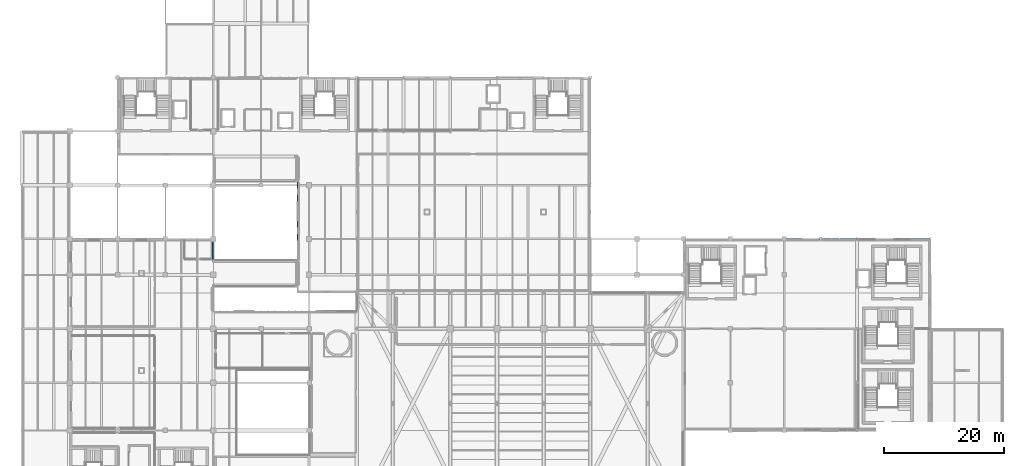
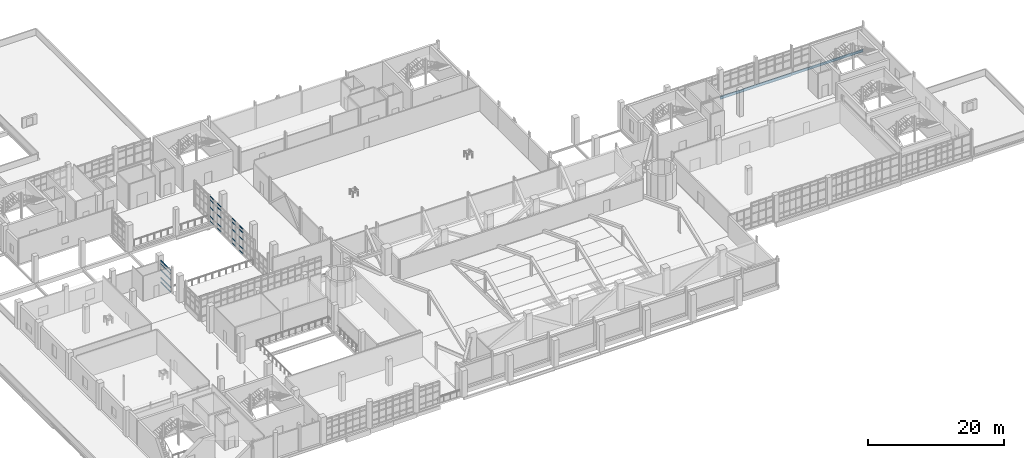
# One storey, part 80 of 127: 35 members, 2 beams, 3 elements without a shape of their own.
"""IFC4 building model written with IfcOpenShell, lengths in metres."""

from ifc_helpers import new_model, si_unit, derived_unit, direction, frame, origin, origin_2d, place, context, subcontext, project, spatial, hollow_rectangle, i_section, extrude, material, layer, layer_set, material_profile, profile_set, type_object, element, aggregate, save


model = new_model("IFC4")

# Units and contexts
model_context = context("Model", 3, precision=1e-05, world=origin(), true_north=direction((0.0, 1.0)))
body_context = subcontext(model_context, "Body", "Model", "MODEL_VIEW")
ifc_project = project(units=[si_unit("LENGTHUNIT", "METRE"), si_unit("AREAUNIT", "SQUARE_METRE"), si_unit("VOLUMEUNIT", "CUBIC_METRE"), si_unit("PLANEANGLEUNIT", "RADIAN"), si_unit("MASSUNIT", "GRAM", prefix="KILO"), derived_unit("THERMALTRANSMITTANCEUNIT", [(si_unit("POWERUNIT", "WATT"), 1), (si_unit("LENGTHUNIT", "METRE"), -2), (si_unit("THERMODYNAMICTEMPERATUREUNIT", "KELVIN"), -1)])], contexts=[model_context])

# Site, building, storey
site_placement = place(None, origin())
site = spatial("IfcSite", under=ifc_project, at=site_placement, CompositionType="ELEMENT")
building_placement = place(site_placement, origin())
building = spatial("IfcBuilding", under=site, at=building_placement, Name="Nallur Shell Playhouse", CompositionType="ELEMENT")
storey_placement = place(building_placement, frame((0.0, 0.0, 5.39990234375)))
storey = spatial("IfcBuildingStorey", under=building, at=storey_placement, Name="L02", CompositionType="ELEMENT", Elevation=5.39990234375)

# Beams
ifc_material_1 = material(Name="Steel E350", Category="steel")
ifc_material_profile_1 = material_profile(ifc_material_1, i_section(OverallWidth=0.14990234375, OverallDepth=0.449951171875, WebThickness=0.009521484375, FlangeThickness=0.017333984375, FilletRadius=0.014892578125, at=origin_2d()), Name="ISMB 450")
ifc_profile_set_1 = profile_set([ifc_material_profile_1], Name="Steel E350")
beam_type_1 = type_object("IfcBeamType", Name="BM-ST-ISMB450", PredefinedType="BEAM", material=ifc_profile_set_1)
beam_1_placement = place(storey_placement, frame((147.60009765625, 56.0, -0.5048828125), z_axis=(1.0, 0.0, 0.0), x_axis=(0.0, 1.0, 0.0)))
element("IfcBeam", 1, at=beam_1_placement, inside=storey, type_object=beam_type_1, Name="L02 girder X-G-363", PredefinedType="BEAM", context=body_context, shape_type="SweptSolid", body=[
    extrude(i_section(OverallWidth=0.14990234375, OverallDepth=0.449951171875, WebThickness=0.009521484375, FlangeThickness=0.017333984375, FilletRadius=0.014892578125, at=origin_2d()), origin(), (0.0, 0.0, 1.0), 12.199951171875),
])
ifc_material_profile_2 = material_profile(ifc_material_1, i_section(OverallWidth=0.179931640625, OverallDepth=0.5, WebThickness=0.01025390625, FlangeThickness=0.01708984375, FilletRadius=0.01708984375, at=origin_2d()), Name="ISMB 500")
ifc_profile_set_2 = profile_set([ifc_material_profile_2], Name="Steel E350")
beam_type_2 = type_object("IfcBeamType", Name="BM-ST-ISMB500", PredefinedType="BEAM", material=ifc_profile_set_2)
beam_2_placement = place(storey_placement, frame((135.39990234375, 56.0, -0.52978515625), z_axis=(1.0, 0.0, 0.0), x_axis=(0.0, 1.0, 0.0)))
element("IfcBeam", 2, at=beam_2_placement, inside=storey, type_object=beam_type_2, Name="L02 girder X-G-362", PredefinedType="BEAM", context=body_context, shape_type="SweptSolid", body=[
    extrude(i_section(OverallWidth=0.179931640625, OverallDepth=0.5, WebThickness=0.01025390625, FlangeThickness=0.01708984375, FilletRadius=0.01708984375, at=origin_2d()), origin(), (0.0, 0.0, 1.0), 12.2001953125),
])

# Curtain wall, members
ifc_material_2 = material(Name="Anodised Aluminium Double-Glazed Facade System", Category="aluminium")
ifc_layer_1 = layer(ifc_material_2, 0.172119140625)
ifc_layer_set_1 = layer_set([ifc_layer_1], Name="Anodised Aluminium Double-Glazed Facade System")
curtain_wall_type_1 = type_object("IfcCurtainWallType", Name="CW-UNIT-15", PredefinedType="NOTDEFINED", material=ifc_layer_set_1)
curtain_wall_1_placement = place(storey_placement, origin())
curtain_wall_1 = element("IfcCurtainWall", 3, at=curtain_wall_1_placement, inside=storey, type_object=curtain_wall_type_1, Name="Unitised curtain wall CW-015 (L02)", PredefinedType="NOTDEFINED")
ifc_material_3 = material(Name="Aluminium Alloy 6063-T6 Transom", Category="aluminium")
ifc_material_profile_3 = material_profile(ifc_material_3, hollow_rectangle(XDim=0.06494140625, YDim=0.1201171875, WallThickness=0.00390625, at=origin_2d()), Name="ALU 65x120x4")
ifc_profile_set_3 = profile_set([ifc_material_profile_3], Name="Aluminium Alloy 6063-T6 Transom")
member_type_1 = type_object("IfcMemberType", Name="MB-CW-TRN120", PredefinedType="USERDEFINED", material=ifc_profile_set_3)
member_1_placement = place(storey_placement, frame((54.090087890625, 55.8134765625, 0.03271484375), z_axis=(0.0, 1.0, 0.0), x_axis=(-1.0, 0.0, 0.0)))
member_1 = element("IfcMember", 4, at=member_1_placement, type_object=member_type_1, Name="CW-15 transom 1.1", ObjectType="TRANSOM", PredefinedType="USERDEFINED", context=body_context, shape_type="SweptSolid", body=[
    extrude(hollow_rectangle(XDim=0.06494140625, YDim=0.1201171875, WallThickness=0.00390625, at=origin_2d()), origin(), (0.0, 0.0, 1.0), 0.986328125),
])
member_2_placement = place(storey_placement, frame((54.090087890625, 55.8134765625, 0.900146484375), z_axis=(0.0, 1.0, 0.0), x_axis=(-1.0, 0.0, 0.0)))
member_2 = element("IfcMember", 5, at=member_2_placement, type_object=member_type_1, Name="CW-15 transom 1.2", ObjectType="TRANSOM", PredefinedType="USERDEFINED", context=body_context, shape_type="SweptSolid", body=[
    extrude(hollow_rectangle(XDim=0.06494140625, YDim=0.1201171875, WallThickness=0.00390625, at=origin_2d()), origin(), (0.0, 0.0, 1.0), 0.986328125),
])
member_3_placement = place(storey_placement, frame((54.090087890625, 55.8134765625, 2.509033203125), z_axis=(0.0, 1.0, 0.0), x_axis=(-1.0, 0.0, 0.0)))
member_3 = element("IfcMember", 6, at=member_3_placement, type_object=member_type_1, Name="CW-15 transom 1.3", ObjectType="TRANSOM", PredefinedType="USERDEFINED", context=body_context, shape_type="SweptSolid", body=[
    extrude(hollow_rectangle(XDim=0.06494140625, YDim=0.1201171875, WallThickness=0.00390625, at=origin_2d()), origin(), (0.0, 0.0, 1.0), 0.986328125),
])
member_4_placement = place(storey_placement, frame((54.090087890625, 55.8134765625, 3.800048828125), z_axis=(0.0, 1.0, 0.0), x_axis=(-1.0, 0.0, 0.0)))
member_4 = element("IfcMember", 7, at=member_4_placement, type_object=member_type_1, Name="CW-15 transom 1.4", ObjectType="TRANSOM", PredefinedType="USERDEFINED", context=body_context, shape_type="SweptSolid", body=[
    extrude(hollow_rectangle(XDim=0.06494140625, YDim=0.1201171875, WallThickness=0.00390625, at=origin_2d()), origin(), (0.0, 0.0, 1.0), 0.986328125),
])
member_5_placement = place(storey_placement, frame((54.090087890625, 55.8134765625, 4.447509765625), z_axis=(0.0, 1.0, 0.0), x_axis=(-1.0, 0.0, 0.0)))
member_5 = element("IfcMember", 8, at=member_5_placement, type_object=member_type_1, Name="CW-15 transom 1.5", ObjectType="TRANSOM", PredefinedType="USERDEFINED", context=body_context, shape_type="SweptSolid", body=[
    extrude(hollow_rectangle(XDim=0.06494140625, YDim=0.1201171875, WallThickness=0.00390625, at=origin_2d()), origin(), (0.0, 0.0, 1.0), 0.986328125),
])
member_6_placement = place(storey_placement, frame((54.090087890625, 57.941650390625, 0.03271484375), z_axis=(0.0, 1.0, 0.0), x_axis=(-1.0, 0.0, 0.0)))
member_6 = element("IfcMember", 9, at=member_6_placement, type_object=member_type_1, Name="CW-15 transom 3.1", ObjectType="TRANSOM", PredefinedType="USERDEFINED", context=body_context, shape_type="SweptSolid", body=[
    extrude(hollow_rectangle(XDim=0.06494140625, YDim=0.1201171875, WallThickness=0.00390625, at=origin_2d()), origin(), (0.0, 0.0, 1.0), 0.986328125),
])
member_7_placement = place(storey_placement, frame((54.090087890625, 57.941650390625, 0.900146484375), z_axis=(0.0, 1.0, 0.0), x_axis=(-1.0, 0.0, 0.0)))
member_7 = element("IfcMember", 10, at=member_7_placement, type_object=member_type_1, Name="CW-15 transom 3.2", ObjectType="TRANSOM", PredefinedType="USERDEFINED", context=body_context, shape_type="SweptSolid", body=[
    extrude(hollow_rectangle(XDim=0.06494140625, YDim=0.1201171875, WallThickness=0.00390625, at=origin_2d()), origin(), (0.0, 0.0, 1.0), 0.986328125),
])
member_8_placement = place(storey_placement, frame((54.090087890625, 57.941650390625, 2.509033203125), z_axis=(0.0, 1.0, 0.0), x_axis=(-1.0, 0.0, 0.0)))
member_8 = element("IfcMember", 11, at=member_8_placement, type_object=member_type_1, Name="CW-15 transom 3.3", ObjectType="TRANSOM", PredefinedType="USERDEFINED", context=body_context, shape_type="SweptSolid", body=[
    extrude(hollow_rectangle(XDim=0.06494140625, YDim=0.1201171875, WallThickness=0.00390625, at=origin_2d()), origin(), (0.0, 0.0, 1.0), 0.986328125),
])
member_9_placement = place(storey_placement, frame((54.090087890625, 57.941650390625, 3.800048828125), z_axis=(0.0, 1.0, 0.0), x_axis=(-1.0, 0.0, 0.0)))
member_9 = element("IfcMember", 12, at=member_9_placement, type_object=member_type_1, Name="CW-15 transom 3.4", ObjectType="TRANSOM", PredefinedType="USERDEFINED", context=body_context, shape_type="SweptSolid", body=[
    extrude(hollow_rectangle(XDim=0.06494140625, YDim=0.1201171875, WallThickness=0.00390625, at=origin_2d()), origin(), (0.0, 0.0, 1.0), 0.986328125),
])
member_10_placement = place(storey_placement, frame((54.090087890625, 57.941650390625, 4.447509765625), z_axis=(0.0, 1.0, 0.0), x_axis=(-1.0, 0.0, 0.0)))
member_10 = element("IfcMember", 13, at=member_10_placement, type_object=member_type_1, Name="CW-15 transom 3.5", ObjectType="TRANSOM", PredefinedType="USERDEFINED", context=body_context, shape_type="SweptSolid", body=[
    extrude(hollow_rectangle(XDim=0.06494140625, YDim=0.1201171875, WallThickness=0.00390625, at=origin_2d()), origin(), (0.0, 0.0, 1.0), 0.986328125),
])
aggregate(curtain_wall_1, [member_1, member_2, member_3, member_4, member_5, member_6, member_7, member_8, member_9, member_10])

ifc_layer_2 = layer(ifc_material_2, 0.179931640625)
ifc_layer_set_2 = layer_set([ifc_layer_2], Name="Anodised Aluminium Double-Glazed Facade System")
curtain_wall_type_2 = type_object("IfcCurtainWallType", Name="CW-UNIT-17", PredefinedType="NOTDEFINED", material=ifc_layer_set_2)
curtain_wall_2_placement = place(storey_placement, origin())
curtain_wall_2 = element("IfcCurtainWall", 14, at=curtain_wall_2_placement, inside=storey, type_object=curtain_wall_type_2, Name="Unitised curtain wall CW-017 (L02)", PredefinedType="NOTDEFINED")
member_11_placement = place(storey_placement, frame((54.090087890625, 62.33544921875, 0.03271484375), z_axis=(0.0, 1.0, 0.0), x_axis=(-1.0, 0.0, 0.0)))
member_11 = element("IfcMember", 15, at=member_11_placement, type_object=member_type_1, Name="CW-17 transom 1.1", ObjectType="TRANSOM", PredefinedType="USERDEFINED", context=body_context, shape_type="SweptSolid", body=[
    extrude(hollow_rectangle(XDim=0.06494140625, YDim=0.1201171875, WallThickness=0.00390625, at=origin_2d()), origin(), (0.0, 0.0, 1.0), 0.98046875),
])
member_12_placement = place(storey_placement, frame((54.090087890625, 62.33544921875, 0.900146484375), z_axis=(0.0, 1.0, 0.0), x_axis=(-1.0, 0.0, 0.0)))
member_12 = element("IfcMember", 16, at=member_12_placement, type_object=member_type_1, Name="CW-17 transom 1.2", ObjectType="TRANSOM", PredefinedType="USERDEFINED", context=body_context, shape_type="SweptSolid", body=[
    extrude(hollow_rectangle(XDim=0.06494140625, YDim=0.1201171875, WallThickness=0.00390625, at=origin_2d()), origin(), (0.0, 0.0, 1.0), 0.98046875),
])
member_13_placement = place(storey_placement, frame((54.090087890625, 62.33544921875, 2.531005859375), z_axis=(0.0, 1.0, 0.0), x_axis=(-1.0, 0.0, 0.0)))
member_13 = element("IfcMember", 17, at=member_13_placement, type_object=member_type_1, Name="CW-17 transom 1.3", ObjectType="TRANSOM", PredefinedType="USERDEFINED", context=body_context, shape_type="SweptSolid", body=[
    extrude(hollow_rectangle(XDim=0.06494140625, YDim=0.1201171875, WallThickness=0.00390625, at=origin_2d()), origin(), (0.0, 0.0, 1.0), 0.98046875),
])
member_14_placement = place(storey_placement, frame((54.090087890625, 62.33544921875, 3.840087890625), z_axis=(0.0, 1.0, 0.0), x_axis=(-1.0, 0.0, 0.0)))
member_14 = element("IfcMember", 18, at=member_14_placement, type_object=member_type_1, Name="CW-17 transom 1.4", ObjectType="TRANSOM", PredefinedType="USERDEFINED", context=body_context, shape_type="SweptSolid", body=[
    extrude(hollow_rectangle(XDim=0.06494140625, YDim=0.1201171875, WallThickness=0.00390625, at=origin_2d()), origin(), (0.0, 0.0, 1.0), 0.98046875),
])
member_15_placement = place(storey_placement, frame((54.090087890625, 62.33544921875, 4.487548828125), z_axis=(0.0, 1.0, 0.0), x_axis=(-1.0, 0.0, 0.0)))
member_15 = element("IfcMember", 19, at=member_15_placement, type_object=member_type_1, Name="CW-17 transom 1.5", ObjectType="TRANSOM", PredefinedType="USERDEFINED", context=body_context, shape_type="SweptSolid", body=[
    extrude(hollow_rectangle(XDim=0.06494140625, YDim=0.1201171875, WallThickness=0.00390625, at=origin_2d()), origin(), (0.0, 0.0, 1.0), 0.98046875),
])
member_16_placement = place(storey_placement, frame((54.090087890625, 64.464599609375, 0.03271484375), z_axis=(0.0, 1.0, 0.0), x_axis=(-1.0, 0.0, 0.0)))
member_16 = element("IfcMember", 20, at=member_16_placement, type_object=member_type_1, Name="CW-17 transom 3.1", ObjectType="TRANSOM", PredefinedType="USERDEFINED", context=body_context, shape_type="SweptSolid", body=[
    extrude(hollow_rectangle(XDim=0.06494140625, YDim=0.1201171875, WallThickness=0.00390625, at=origin_2d()), origin(), (0.0, 0.0, 1.0), 0.98046875),
])
member_17_placement = place(storey_placement, frame((54.090087890625, 64.464599609375, 0.900146484375), z_axis=(0.0, 1.0, 0.0), x_axis=(-1.0, 0.0, 0.0)))
member_17 = element("IfcMember", 21, at=member_17_placement, type_object=member_type_1, Name="CW-17 transom 3.2", ObjectType="TRANSOM", PredefinedType="USERDEFINED", context=body_context, shape_type="SweptSolid", body=[
    extrude(hollow_rectangle(XDim=0.06494140625, YDim=0.1201171875, WallThickness=0.00390625, at=origin_2d()), origin(), (0.0, 0.0, 1.0), 0.98046875),
])
member_18_placement = place(storey_placement, frame((54.090087890625, 64.464599609375, 2.531005859375), z_axis=(0.0, 1.0, 0.0), x_axis=(-1.0, 0.0, 0.0)))
member_18 = element("IfcMember", 22, at=member_18_placement, type_object=member_type_1, Name="CW-17 transom 3.3", ObjectType="TRANSOM", PredefinedType="USERDEFINED", context=body_context, shape_type="SweptSolid", body=[
    extrude(hollow_rectangle(XDim=0.06494140625, YDim=0.1201171875, WallThickness=0.00390625, at=origin_2d()), origin(), (0.0, 0.0, 1.0), 0.98046875),
])
member_19_placement = place(storey_placement, frame((54.090087890625, 64.464599609375, 3.840087890625), z_axis=(0.0, 1.0, 0.0), x_axis=(-1.0, 0.0, 0.0)))
member_19 = element("IfcMember", 23, at=member_19_placement, type_object=member_type_1, Name="CW-17 transom 3.4", ObjectType="TRANSOM", PredefinedType="USERDEFINED", context=body_context, shape_type="SweptSolid", body=[
    extrude(hollow_rectangle(XDim=0.06494140625, YDim=0.1201171875, WallThickness=0.00390625, at=origin_2d()), origin(), (0.0, 0.0, 1.0), 0.98046875),
])
member_20_placement = place(storey_placement, frame((54.090087890625, 64.464599609375, 4.487548828125), z_axis=(0.0, 1.0, 0.0), x_axis=(-1.0, 0.0, 0.0)))
member_20 = element("IfcMember", 24, at=member_20_placement, type_object=member_type_1, Name="CW-17 transom 3.5", ObjectType="TRANSOM", PredefinedType="USERDEFINED", context=body_context, shape_type="SweptSolid", body=[
    extrude(hollow_rectangle(XDim=0.06494140625, YDim=0.1201171875, WallThickness=0.00390625, at=origin_2d()), origin(), (0.0, 0.0, 1.0), 0.98046875),
])
aggregate(curtain_wall_2, [member_11, member_12, member_13, member_14, member_15, member_16, member_17, member_18, member_19, member_20])

ifc_layer_3 = layer(ifc_material_2, 0.159912109375)
ifc_layer_set_3 = layer_set([ifc_layer_3], Name="Anodised Aluminium Double-Glazed Facade System")
curtain_wall_type_3 = type_object("IfcCurtainWallType", Name="CW-UNIT-24", PredefinedType="NOTDEFINED", material=ifc_layer_set_3)
curtain_wall_3_placement = place(storey_placement, origin())
curtain_wall_3 = element("IfcCurtainWall", 25, at=curtain_wall_3_placement, inside=storey, type_object=curtain_wall_type_3, Name="Unitised curtain wall CW-056 (L02)", PredefinedType="NOTDEFINED")
ifc_material_profile_4 = material_profile(ifc_material_3, hollow_rectangle(XDim=0.10009765625, YDim=0.199951171875, WallThickness=0.008056640625, at=origin_2d()), Name="RHS 200x100x8")
ifc_profile_set_4 = profile_set([ifc_material_profile_4], Name="Aluminium Alloy 6063-T6 Transom")
member_type_2 = type_object("IfcMemberType", Name="MB-CW-TRN140", PredefinedType="USERDEFINED", material=ifc_profile_set_4)
member_21_placement = place(storey_placement, frame((39.909912109375, 55.469970703125, 0.050048828125), z_axis=(0.0, -1.0, 0.0), x_axis=(1.0, 0.0, 0.0)))
member_21 = element("IfcMember", 26, at=member_21_placement, type_object=member_type_2, Name="CW-24 transom 1.1", ObjectType="TRANSOM", PredefinedType="USERDEFINED", context=body_context, shape_type="SweptSolid", body=[
    extrude(hollow_rectangle(XDim=0.10009765625, YDim=0.199951171875, WallThickness=0.008056640625, at=origin_2d()), origin(), (0.0, 0.0, 1.0), 0.909912109375),
])
member_22_placement = place(storey_placement, frame((39.909912109375, 55.469970703125, 0.900146484375), z_axis=(0.0, -1.0, 0.0), x_axis=(1.0, 0.0, 0.0)))
member_22 = element("IfcMember", 27, at=member_22_placement, type_object=member_type_2, Name="CW-24 transom 1.2", ObjectType="TRANSOM", PredefinedType="USERDEFINED", context=body_context, shape_type="SweptSolid", body=[
    extrude(hollow_rectangle(XDim=0.10009765625, YDim=0.199951171875, WallThickness=0.008056640625, at=origin_2d()), origin(), (0.0, 0.0, 1.0), 0.909912109375),
])
member_23_placement = place(storey_placement, frame((39.909912109375, 55.469970703125, 2.254150390625), z_axis=(0.0, -1.0, 0.0), x_axis=(1.0, 0.0, 0.0)))
member_23 = element("IfcMember", 28, at=member_23_placement, type_object=member_type_2, Name="CW-24 transom 1.3", ObjectType="TRANSOM", PredefinedType="USERDEFINED", context=body_context, shape_type="SweptSolid", body=[
    extrude(hollow_rectangle(XDim=0.10009765625, YDim=0.199951171875, WallThickness=0.008056640625, at=origin_2d()), origin(), (0.0, 0.0, 1.0), 0.909912109375),
])
member_24_placement = place(storey_placement, frame((39.909912109375, 55.469970703125, 3.34521484375), z_axis=(0.0, -1.0, 0.0), x_axis=(1.0, 0.0, 0.0)))
member_24 = element("IfcMember", 29, at=member_24_placement, type_object=member_type_2, Name="CW-24 transom 1.4", ObjectType="TRANSOM", PredefinedType="USERDEFINED", context=body_context, shape_type="SweptSolid", body=[
    extrude(hollow_rectangle(XDim=0.10009765625, YDim=0.199951171875, WallThickness=0.008056640625, at=origin_2d()), origin(), (0.0, 0.0, 1.0), 0.909912109375),
])
member_25_placement = place(storey_placement, frame((39.909912109375, 55.469970703125, 3.97509765625), z_axis=(0.0, -1.0, 0.0), x_axis=(1.0, 0.0, 0.0)))
member_25 = element("IfcMember", 30, at=member_25_placement, type_object=member_type_2, Name="CW-24 transom 1.5", ObjectType="TRANSOM", PredefinedType="USERDEFINED", context=body_context, shape_type="SweptSolid", body=[
    extrude(hollow_rectangle(XDim=0.10009765625, YDim=0.199951171875, WallThickness=0.008056640625, at=origin_2d()), origin(), (0.0, 0.0, 1.0), 0.909912109375),
])
member_26_placement = place(storey_placement, frame((39.909912109375, 54.49609375, 0.050048828125), z_axis=(0.0, -1.0, 0.0), x_axis=(1.0, 0.0, 0.0)))
member_26 = element("IfcMember", 31, at=member_26_placement, type_object=member_type_2, Name="CW-24 transom 2.1", ObjectType="TRANSOM", PredefinedType="USERDEFINED", context=body_context, shape_type="SweptSolid", body=[
    extrude(hollow_rectangle(XDim=0.10009765625, YDim=0.199951171875, WallThickness=0.008056640625, at=origin_2d()), origin(), (0.0, 0.0, 1.0), 0.9501953125),
])
member_27_placement = place(storey_placement, frame((39.909912109375, 54.49609375, 0.900146484375), z_axis=(0.0, -1.0, 0.0), x_axis=(1.0, 0.0, 0.0)))
member_27 = element("IfcMember", 32, at=member_27_placement, type_object=member_type_2, Name="CW-24 transom 2.2", ObjectType="TRANSOM", PredefinedType="USERDEFINED", context=body_context, shape_type="SweptSolid", body=[
    extrude(hollow_rectangle(XDim=0.10009765625, YDim=0.199951171875, WallThickness=0.008056640625, at=origin_2d()), origin(), (0.0, 0.0, 1.0), 0.9501953125),
])
member_28_placement = place(storey_placement, frame((39.909912109375, 54.49609375, 2.254150390625), z_axis=(0.0, -1.0, 0.0), x_axis=(1.0, 0.0, 0.0)))
member_28 = element("IfcMember", 33, at=member_28_placement, type_object=member_type_2, Name="CW-24 transom 2.3", ObjectType="TRANSOM", PredefinedType="USERDEFINED", context=body_context, shape_type="SweptSolid", body=[
    extrude(hollow_rectangle(XDim=0.10009765625, YDim=0.199951171875, WallThickness=0.008056640625, at=origin_2d()), origin(), (0.0, 0.0, 1.0), 0.9501953125),
])
member_29_placement = place(storey_placement, frame((39.909912109375, 54.49609375, 3.34521484375), z_axis=(0.0, -1.0, 0.0), x_axis=(1.0, 0.0, 0.0)))
member_29 = element("IfcMember", 34, at=member_29_placement, type_object=member_type_2, Name="CW-24 transom 2.4", ObjectType="TRANSOM", PredefinedType="USERDEFINED", context=body_context, shape_type="SweptSolid", body=[
    extrude(hollow_rectangle(XDim=0.10009765625, YDim=0.199951171875, WallThickness=0.008056640625, at=origin_2d()), origin(), (0.0, 0.0, 1.0), 0.9501953125),
])
member_30_placement = place(storey_placement, frame((39.909912109375, 54.49609375, 3.97509765625), z_axis=(0.0, -1.0, 0.0), x_axis=(1.0, 0.0, 0.0)))
member_30 = element("IfcMember", 35, at=member_30_placement, type_object=member_type_2, Name="CW-24 transom 2.5", ObjectType="TRANSOM", PredefinedType="USERDEFINED", context=body_context, shape_type="SweptSolid", body=[
    extrude(hollow_rectangle(XDim=0.10009765625, YDim=0.199951171875, WallThickness=0.008056640625, at=origin_2d()), origin(), (0.0, 0.0, 1.0), 0.9501953125),
])
member_31_placement = place(storey_placement, frame((39.909912109375, 53.48193359375, 0.050048828125), z_axis=(0.0, -1.0, 0.0), x_axis=(1.0, 0.0, 0.0)))
member_31 = element("IfcMember", 36, at=member_31_placement, type_object=member_type_2, Name="CW-24 transom 3.1", ObjectType="TRANSOM", PredefinedType="USERDEFINED", context=body_context, shape_type="SweptSolid", body=[
    extrude(hollow_rectangle(XDim=0.10009765625, YDim=0.199951171875, WallThickness=0.008056640625, at=origin_2d()), origin(), (0.0, 0.0, 1.0), 0.909912109375),
])
member_32_placement = place(storey_placement, frame((39.909912109375, 53.48193359375, 0.900146484375), z_axis=(0.0, -1.0, 0.0), x_axis=(1.0, 0.0, 0.0)))
member_32 = element("IfcMember", 37, at=member_32_placement, type_object=member_type_2, Name="CW-24 transom 3.2", ObjectType="TRANSOM", PredefinedType="USERDEFINED", context=body_context, shape_type="SweptSolid", body=[
    extrude(hollow_rectangle(XDim=0.10009765625, YDim=0.199951171875, WallThickness=0.008056640625, at=origin_2d()), origin(), (0.0, 0.0, 1.0), 0.909912109375),
])
member_33_placement = place(storey_placement, frame((39.909912109375, 53.48193359375, 2.254150390625), z_axis=(0.0, -1.0, 0.0), x_axis=(1.0, 0.0, 0.0)))
member_33 = element("IfcMember", 38, at=member_33_placement, type_object=member_type_2, Name="CW-24 transom 3.3", ObjectType="TRANSOM", PredefinedType="USERDEFINED", context=body_context, shape_type="SweptSolid", body=[
    extrude(hollow_rectangle(XDim=0.10009765625, YDim=0.199951171875, WallThickness=0.008056640625, at=origin_2d()), origin(), (0.0, 0.0, 1.0), 0.909912109375),
])
member_34_placement = place(storey_placement, frame((39.909912109375, 53.48193359375, 3.34521484375), z_axis=(0.0, -1.0, 0.0), x_axis=(1.0, 0.0, 0.0)))
member_34 = element("IfcMember", 39, at=member_34_placement, type_object=member_type_2, Name="CW-24 transom 3.4", ObjectType="TRANSOM", PredefinedType="USERDEFINED", context=body_context, shape_type="SweptSolid", body=[
    extrude(hollow_rectangle(XDim=0.10009765625, YDim=0.199951171875, WallThickness=0.008056640625, at=origin_2d()), origin(), (0.0, 0.0, 1.0), 0.909912109375),
])
member_35_placement = place(storey_placement, frame((39.909912109375, 53.48193359375, 3.97509765625), z_axis=(0.0, -1.0, 0.0), x_axis=(1.0, 0.0, 0.0)))
member_35 = element("IfcMember", 40, at=member_35_placement, type_object=member_type_2, Name="CW-24 transom 3.5", ObjectType="TRANSOM", PredefinedType="USERDEFINED", context=body_context, shape_type="SweptSolid", body=[
    extrude(hollow_rectangle(XDim=0.10009765625, YDim=0.199951171875, WallThickness=0.008056640625, at=origin_2d()), origin(), (0.0, 0.0, 1.0), 0.909912109375),
])
aggregate(curtain_wall_3, [member_21, member_22, member_23, member_24, member_25, member_26, member_27, member_28, member_29, member_30, member_31, member_32, member_33, member_34, member_35])

save(model, "model.ifc")
